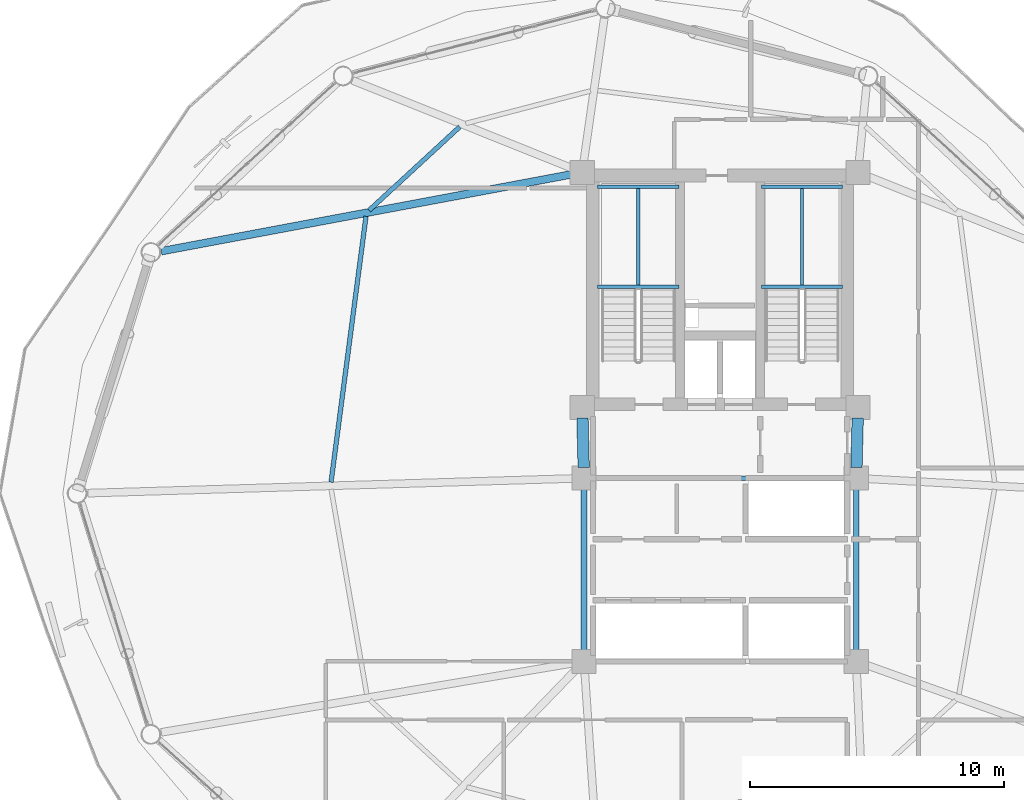
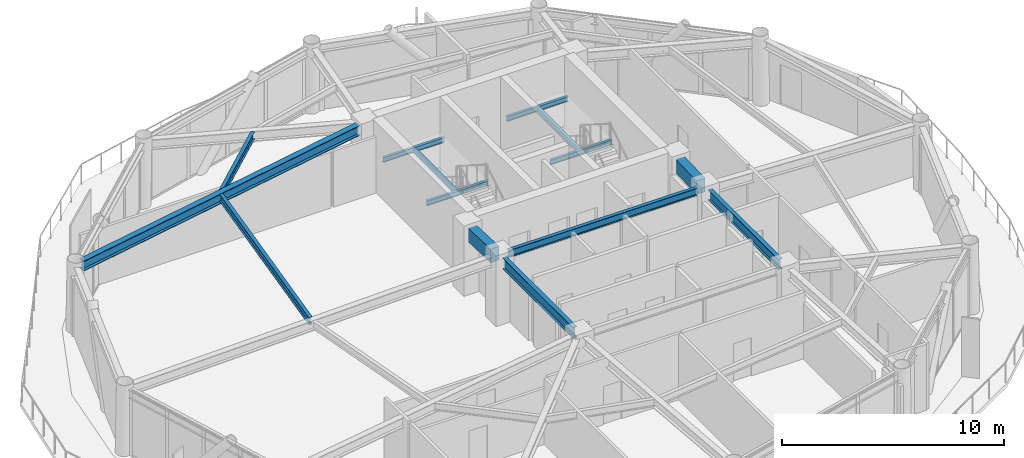
# One storey, part 11 of 23: 14 beams.
"""IFC4 building model written with IfcOpenShell, lengths in metres."""

from ifc_helpers import new_model, si_unit, direction, frame, origin, origin_2d, place, context, subcontext, project, spatial, rectangle, i_section, extrude, material, material_profile, profile_set, type_object, element, save


model = new_model("IFC4")

# Units and contexts
model_context = context("Model", 3, precision=1e-05, world=origin(), true_north=direction((0.0, 1.0)))
body_context = subcontext(model_context, "Body", "Model", "MODEL_VIEW")
ifc_project = project(units=[si_unit("LENGTHUNIT", "METRE"), si_unit("AREAUNIT", "SQUARE_METRE"), si_unit("VOLUMEUNIT", "CUBIC_METRE"), si_unit("PLANEANGLEUNIT", "RADIAN"), si_unit("MASSUNIT", "GRAM", prefix="KILO")], contexts=[model_context])

# Site, building, storey
site_placement = place(None, origin())
site = spatial("IfcSite", under=ifc_project, at=site_placement, CompositionType="ELEMENT")
building_placement = place(site_placement, origin())
building = spatial("IfcBuilding", under=site, at=building_placement, Name="Varnakorn Sky Granary", CompositionType="ELEMENT")
storey_placement = place(building_placement, frame((0.0, 0.0, 150.0)))
storey = spatial("IfcBuildingStorey", under=building, at=storey_placement, Name="L37", CompositionType="ELEMENT", Elevation=150.0)

# Beams
ifc_material_1 = material(Name="Steel S355JR", Category="steel")
ifc_material_profile_1 = material_profile(ifc_material_1, i_section(OverallWidth=0.2099609375, OverallDepth=0.550048828125, WebThickness=0.010986328125, FlangeThickness=0.01708984375, at=origin_2d()), Name="IPE 550")
ifc_profile_set_1 = profile_set([ifc_material_profile_1], Name="Steel S355JR")
beam_type_1 = type_object("IfcBeamType", Name="BM-JST-550", PredefinedType="JOIST", material=ifc_profile_set_1)
beam_1_placement = place(storey_placement, frame((8.35009765625, 0.179931640625, 3.364990234375), z_axis=(0.0, -1.0, 0.0), x_axis=(1.0, 0.0, 0.0)))
element("IfcBeam", 1, at=beam_1_placement, inside=storey, type_object=beam_type_1, Name="Core Spine Framing Beam 4 L37", PredefinedType="JOIST", context=body_context, shape_type="SweptSolid", body=[
    extrude(i_section(OverallWidth=0.2099609375, OverallDepth=0.550048828125, WebThickness=0.010986328125, FlangeThickness=0.01708984375, at=origin_2d()), origin(), (0.0, 0.0, 1.0), 6.35986328125),
])
ifc_material_profile_2 = material_profile(ifc_material_1, i_section(OverallWidth=0.219970703125, OverallDepth=0.60009765625, WebThickness=0.011962890625, FlangeThickness=0.01904296875, at=origin_2d()), Name="IPE 600")
ifc_profile_set_2 = profile_set([ifc_material_profile_2], Name="Steel S355JR")
beam_type_2 = type_object("IfcBeamType", Name="BM-JST-600", PredefinedType="JOIST", material=ifc_profile_set_2)
beam_2_placement = place(storey_placement, frame((-2.35009765625, 0.179931640625, 3.340087890625), z_axis=(0.0, -1.0, 0.0), x_axis=(1.0, 0.0, 0.0)))
element("IfcBeam", 2, at=beam_2_placement, inside=storey, type_object=beam_type_2, Name="Core Spine Framing Beam 3 L37", PredefinedType="JOIST", context=body_context, shape_type="SweptSolid", body=[
    extrude(i_section(OverallWidth=0.219970703125, OverallDepth=0.60009765625, WebThickness=0.011962890625, FlangeThickness=0.01904296875, at=origin_2d()), origin(), (0.0, 0.0, 1.0), 6.35986328125),
])
ifc_material_2 = material(Name="Concrete C60/75", Category="concrete")
ifc_material_profile_3 = material_profile(ifc_material_2, rectangle(XDim=0.449951171875, YDim=0.75, at=origin_2d()), Name="RC 450x750")
ifc_profile_set_3 = profile_set([ifc_material_profile_3], Name="Concrete C60/75")
beam_type_3 = type_object("IfcBeamType", Name="BM-LIN-750", PredefinedType="LINTEL", material=ifc_profile_set_3)
for number, where, z_axis, x_axis, name in (
    (3, (-2.409423828125, 2.960205078125, 3.264892578125), (0.025158763514, -0.999683468213, 0.0), (0.999683468213, 0.025158763514, 0.0), "Core Spine Framing Beam 1 L37"),
    (4, (8.409423828125, 2.960205078125, 3.264892578125), (-0.025158763514, -0.999683468213, 0.0), (0.999683468213, -0.025158763514, 0.0), "Core Spine Framing Beam 2 L37"),
):
    element("IfcBeam", number, at=place(storey_placement, frame(where, z_axis=z_axis, x_axis=x_axis)), inside=storey, type_object=beam_type_3, Name=name, PredefinedType="LINTEL", context=body_context, shape_type="SweptSolid", body=[
        extrude(rectangle(XDim=0.449951171875, YDim=0.75, at=origin_2d()), origin(), (0.0, 0.0, 1.0), 1.94091796875),
    ])
ifc_material_profile_4 = material_profile(ifc_material_1, i_section(OverallWidth=0.135009765625, OverallDepth=0.27001953125, WebThickness=0.006591796875, FlangeThickness=0.01025390625, at=origin_2d()), Name="IPE 270")
ifc_profile_set_4 = profile_set([ifc_material_profile_4], Name="Steel S355JR")
beam_type_4 = type_object("IfcBeamType", Name="BM-LND-270", PredefinedType="BEAM", material=ifc_profile_set_4)
for number, where, z_axis, x_axis, name in (
    (5, (-1.820068359375, 8.1201171875, 1.614990234375), (1.0, 0.0, 0.0), (0.0, 1.0, 0.0), "Stair ST-1 Landing Trimmer Beam A L37-1"),
    (6, (-1.820068359375, 12.06005859375, 1.614990234375), (1.0, 0.0, 0.0), (0.0, 1.0, 0.0), "Stair ST-1 Landing Trimmer Beam B L37-1"),
):
    element("IfcBeam", number, at=place(storey_placement, frame(where, z_axis=z_axis, x_axis=x_axis)), inside=storey, type_object=beam_type_4, Name=name, PredefinedType="BEAM", context=body_context, shape_type="SweptSolid", body=[
        extrude(i_section(OverallWidth=0.135009765625, OverallDepth=0.27001953125, WebThickness=0.006591796875, FlangeThickness=0.01025390625, at=origin_2d()), origin(), (0.0, 0.0, 1.0), 3.199951171875),
    ])
beam_3_placement = place(storey_placement, frame((-0.219970703125, 8.1201171875, 1.614990234375), z_axis=(0.0, 1.0, 0.0), x_axis=(-1.0, 0.0, 0.0)))
element("IfcBeam", 7, at=beam_3_placement, inside=storey, type_object=beam_type_4, Name="Stair ST-1 Landing Cross Beam C L37-1", PredefinedType="BEAM", context=body_context, shape_type="SweptSolid", body=[
    extrude(i_section(OverallWidth=0.135009765625, OverallDepth=0.27001953125, WebThickness=0.006591796875, FlangeThickness=0.01025390625, at=origin_2d()), origin(), (0.0, 0.0, 1.0), 3.93994140625),
])
for number, where, z_axis, x_axis, name in (
    (8, (4.6201171875, 8.1201171875, 1.614990234375), (1.0, 0.0, 0.0), (0.0, 1.0, 0.0), "Stair ST-2 Landing Trimmer Beam A L37-1"),
    (9, (4.6201171875, 12.06005859375, 1.614990234375), (1.0, 0.0, 0.0), (0.0, 1.0, 0.0), "Stair ST-2 Landing Trimmer Beam B L37-1"),
):
    element("IfcBeam", number, at=place(storey_placement, frame(where, z_axis=z_axis, x_axis=x_axis)), inside=storey, type_object=beam_type_4, Name=name, PredefinedType="BEAM", context=body_context, shape_type="SweptSolid", body=[
        extrude(i_section(OverallWidth=0.135009765625, OverallDepth=0.27001953125, WebThickness=0.006591796875, FlangeThickness=0.01025390625, at=origin_2d()), origin(), (0.0, 0.0, 1.0), 3.199951171875),
    ])
beam_4_placement = place(storey_placement, frame((6.219970703125, 8.1201171875, 1.614990234375), z_axis=(0.0, 1.0, 0.0), x_axis=(-1.0, 0.0, 0.0)))
element("IfcBeam", 10, at=beam_4_placement, inside=storey, type_object=beam_type_4, Name="Stair ST-2 Landing Cross Beam C L37-1", PredefinedType="BEAM", context=body_context, shape_type="SweptSolid", body=[
    extrude(i_section(OverallWidth=0.135009765625, OverallDepth=0.27001953125, WebThickness=0.006591796875, FlangeThickness=0.01025390625, at=origin_2d()), origin(), (0.0, 0.0, 1.0), 3.93994140625),
])
ifc_material_profile_5 = material_profile(ifc_material_1, i_section(OverallWidth=0.300048828125, OverallDepth=0.550048828125, WebThickness=0.014892578125, FlangeThickness=0.029052734375, at=origin_2d()), Name="HE 550 B")
ifc_profile_set_5 = profile_set([ifc_material_profile_5], Name="Steel S355JR")
beam_type_5 = type_object("IfcBeamType", Name="BM-RAD-Z3", PredefinedType="BEAM", material=ifc_profile_set_5)
beam_5_placement = place(storey_placement, frame((-2.832763671875, 12.54248046875, 3.364990234375), z_axis=(-0.982897605466, -0.184152917894, 0.0), x_axis=(0.184152917894, -0.982897605466, 0.0)))
element("IfcBeam", 11, at=beam_5_placement, inside=storey, type_object=beam_type_5, Name="Radial Floor Girder RG06 L37", PredefinedType="BEAM", context=body_context, shape_type="SweptSolid", body=[
    extrude(i_section(OverallWidth=0.300048828125, OverallDepth=0.550048828125, WebThickness=0.014892578125, FlangeThickness=0.029052734375, at=origin_2d()), origin(), (0.0, 0.0, 1.0), 16.412841796875),
])
ifc_material_profile_6 = material_profile(ifc_material_1, i_section(OverallWidth=0.179931640625, OverallDepth=0.39990234375, WebThickness=0.008544921875, FlangeThickness=0.013427734375, at=origin_2d()), Name="IPE 400")
ifc_profile_set_6 = profile_set([ifc_material_profile_6], Name="Steel S355JR")
beam_type_6 = type_object("IfcBeamType", Name="BM-SEC-Z3", PredefinedType="BEAM", material=ifc_profile_set_6)
beam_6_placement = place(storey_placement, frame((-7.2333984375, 14.4111328125, 3.43994140625), z_axis=(-0.735168403641, -0.677884516926, 0.0), x_axis=(0.677884516926, -0.735168403641, 0.0)))
element("IfcBeam", 12, at=beam_6_placement, inside=storey, type_object=beam_type_6, Name="Secondary Floor Chord Beam MSB05 L37", PredefinedType="BEAM", context=body_context, shape_type="SweptSolid", body=[
    extrude(i_section(OverallWidth=0.179931640625, OverallDepth=0.39990234375, WebThickness=0.008544921875, FlangeThickness=0.013427734375, at=origin_2d()), origin(), (0.0, 0.0, 1.0), 4.845947265625),
])
beam_7_placement = place(storey_placement, frame((-10.9169921875, 10.892333984375, 3.43994140625), z_axis=(-0.130423966841, -0.991458314239, 0.0), x_axis=(0.991458314239, -0.130423966841, 0.0)))
element("IfcBeam", 13, at=beam_7_placement, inside=storey, type_object=beam_type_6, Name="Secondary Floor Chord Beam MSB06 L37", PredefinedType="BEAM", context=body_context, shape_type="SweptSolid", body=[
    extrude(i_section(OverallWidth=0.179931640625, OverallDepth=0.39990234375, WebThickness=0.008544921875, FlangeThickness=0.013427734375, at=origin_2d()), origin(), (0.0, 0.0, 1.0), 10.54443359375),
])
beam_8_placement = place(storey_placement, frame((-1.929931640625, 0.60009765625, 3.43994140625), z_axis=(1.0, 0.0, 0.0), x_axis=(0.0, 1.0, 0.0)))
element("IfcBeam", 14, at=beam_8_placement, inside=storey, type_object=beam_type_6, Name="Core Spine Framing Beam 5 L37", PredefinedType="BEAM", context=body_context, shape_type="SweptSolid", body=[
    extrude(i_section(OverallWidth=0.179931640625, OverallDepth=0.39990234375, WebThickness=0.008544921875, FlangeThickness=0.013427734375, at=origin_2d()), origin(), (0.0, 0.0, 1.0), 9.85986328125),
])

save(model, "model.ifc")
